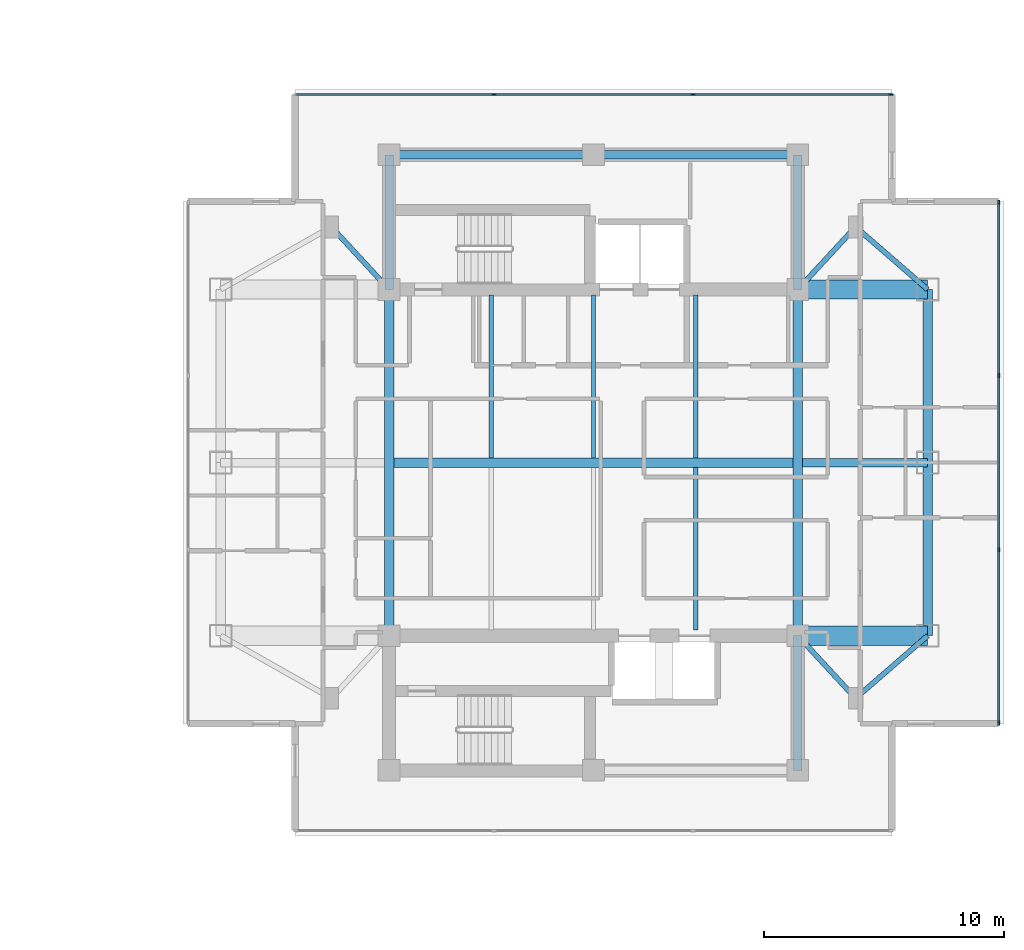
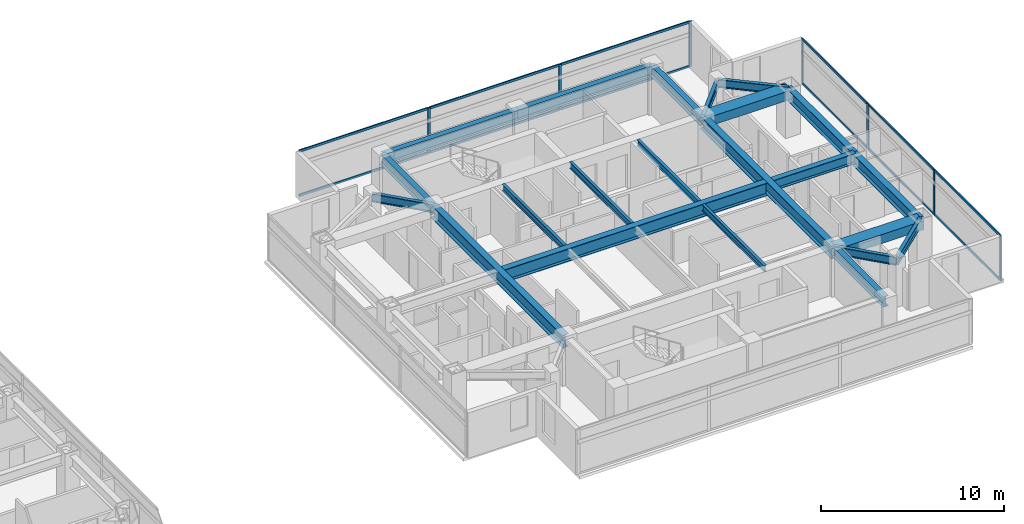
# One storey, part 10 of 24: 22 beams, 19 members, 2 elements without a shape of their own.
"""IFC4 building model written with IfcOpenShell, lengths in metres."""

from ifc_helpers import new_model, si_unit, direction, frame, origin, origin_2d, place, context, subcontext, project, spatial, rectangle, i_section, extrude, material, material_profile, profile_set, type_object, element, aggregate, save


model = new_model("IFC4")

# Units and contexts
model_context = context("Model", 3, precision=1e-05, world=origin(), true_north=direction((0.0, 1.0)))
body_context = subcontext(model_context, "Body", "Model", "MODEL_VIEW")
ifc_project = project(units=[si_unit("LENGTHUNIT", "METRE"), si_unit("AREAUNIT", "SQUARE_METRE"), si_unit("VOLUMEUNIT", "CUBIC_METRE"), si_unit("PLANEANGLEUNIT", "RADIAN"), si_unit("MASSUNIT", "GRAM", prefix="KILO")], contexts=[model_context])

# Site, building, storey
site_placement = place(None, origin())
site = spatial("IfcSite", under=ifc_project, at=site_placement, CompositionType="ELEMENT")
building_placement = place(site_placement, origin())
building = spatial("IfcBuilding", under=site, at=building_placement, Name="Mirazonda Arch Towers", CompositionType="ELEMENT")
storey_placement = place(building_placement, frame((0.0, 0.0, 190.14990234375)))
storey = spatial("IfcBuildingStorey", under=building, at=storey_placement, Name="L54", CompositionType="ELEMENT", Elevation=190.14990234375)

# Beams
ifc_material_1 = material(Name="Steel ASTM A992 Grade 50", Category="steel")
ifc_material_profile_1 = material_profile(ifc_material_1, i_section(OverallWidth=0.381103515625, OverallDepth=0.77294921875, WebThickness=0.0166015625, FlangeThickness=0.027099609375, at=origin_2d()), Name="W30X173")
ifc_profile_set_1 = profile_set([ifc_material_profile_1], Name="Steel ASTM A992 Grade 50")
beam_type_1 = type_object("IfcBeamType", Name="BM-EXT-W30X173", PredefinedType="USERDEFINED", material=ifc_profile_set_1)
for number, where, z_axis, x_axis, name in (
    (1, (90.39990234375, 20.800048828125, 2.66357421875), (0.0, 1.0, 0.0), (-1.0, 0.0, 0.0), "L54 Floor Beam BM-T2-L54-NS-E-20"),
    (2, (90.39990234375, 28.0, 2.66357421875), (0.0, 1.0, 0.0), (-1.0, 0.0, 0.0), "L54 Floor Beam BM-T2-L54-NS-E-28"),
):
    element("IfcBeam", number, at=place(storey_placement, frame(where, z_axis=z_axis, x_axis=x_axis)), inside=storey, type_object=beam_type_1, Name=name, ObjectType="GIRDER", PredefinedType="USERDEFINED", context=body_context, shape_type="SweptSolid", body=[
        extrude(i_section(OverallWidth=0.381103515625, OverallDepth=0.77294921875, WebThickness=0.0166015625, FlangeThickness=0.027099609375, at=origin_2d()), origin(), (0.0, 0.0, 1.0), 7.199951171875),
    ])
ifc_material_profile_2 = material_profile(ifc_material_1, i_section(OverallWidth=0.180908203125, OverallDepth=0.4169921875, WebThickness=0.010986328125, FlangeThickness=0.018310546875, at=origin_2d()), Name="W16X57")
ifc_profile_set_2 = profile_set([ifc_material_profile_2], Name="Steel ASTM A992 Grade 50")
beam_type_2 = type_object("IfcBeamType", Name="BM-INT-W16X57", PredefinedType="JOIST", material=ifc_profile_set_2)
for number, where, z_axis, x_axis, name in (
    (3, (72.25, 28.196044921875, 2.841552734375), (0.0, 1.0, 0.0), (-1.0, 0.0, 0.0), "L54 Floor Beam BM-T2-L54-J-722-28"),
    (4, (76.5, 28.196044921875, 2.841552734375), (0.0, 1.0, 0.0), (-1.0, 0.0, 0.0), "L54 Floor Beam BM-T2-L54-J-765-28"),
    (5, (80.75, 21.0400390625, 2.841552734375), (0.0, 1.0, 0.0), (-1.0, 0.0, 0.0), "L54 Floor Beam BM-T2-L54-J-807-20"),
    (6, (80.75, 28.196044921875, 2.841552734375), (0.0, 1.0, 0.0), (-1.0, 0.0, 0.0), "L54 Floor Beam BM-T2-L54-J-807-28"),
):
    element("IfcBeam", number, at=place(storey_placement, frame(where, z_axis=z_axis, x_axis=x_axis)), inside=storey, type_object=beam_type_2, Name=name, PredefinedType="JOIST", context=body_context, shape_type="SweptSolid", body=[
        extrude(i_section(OverallWidth=0.180908203125, OverallDepth=0.4169921875, WebThickness=0.010986328125, FlangeThickness=0.018310546875, at=origin_2d()), origin(), (0.0, 0.0, 1.0), 6.763916015625),
    ])
ifc_material_profile_3 = material_profile(ifc_material_1, i_section(OverallWidth=0.214111328125, OverallDepth=0.549072265625, WebThickness=0.0146484375, FlangeThickness=0.023681640625, at=origin_2d()), Name="W21X93")
ifc_profile_set_3 = profile_set([ifc_material_profile_3], Name="Steel ASTM A992 Grade 50")
beam_type_3 = type_object("IfcBeamType", Name="BM-INT-W21X93", PredefinedType="BEAM", material=ifc_profile_set_3)
beam_1_placement = place(storey_placement, frame((87.39990234375, 18.199951171875, 2.775634765625), z_axis=(-0.678251444854, 0.734829897019, 0.0), x_axis=(-0.734829897019, -0.678251444854, 0.0)))
element("IfcBeam", 7, at=beam_1_placement, inside=storey, type_object=beam_type_3, Name="L54 Floor Beam BM-T2-L54-PL-SE1", PredefinedType="BEAM", context=body_context, shape_type="SweptSolid", body=[
    extrude(i_section(OverallWidth=0.214111328125, OverallDepth=0.549072265625, WebThickness=0.0146484375, FlangeThickness=0.023681640625, at=origin_2d()), origin(), (0.0, 0.0, 1.0), 3.538330078125),
])
beam_2_placement = place(storey_placement, frame((87.39990234375, 18.199951171875, 2.775634765625), z_axis=(0.755676908098, 0.654944585876, 0.0), x_axis=(-0.654944585876, 0.755676908098, 0.0)))
element("IfcBeam", 8, at=beam_2_placement, inside=storey, type_object=beam_type_3, Name="L54 Floor Beam BM-T2-L54-PL-SE2", PredefinedType="BEAM", context=body_context, shape_type="SweptSolid", body=[
    extrude(i_section(OverallWidth=0.214111328125, OverallDepth=0.549072265625, WebThickness=0.0146484375, FlangeThickness=0.023681640625, at=origin_2d()), origin(), (0.0, 0.0, 1.0), 3.969970703125),
])
for number, where, z_axis, x_axis, name in (
    (9, (65.60009765625, 37.800048828125, 2.775634765625), (0.678251444854, -0.734829897019, 0.0), (0.734829897019, 0.678251444854, 0.0), "L54 Floor Beam BM-T2-L54-PL-NW1"),
    (10, (87.39990234375, 37.800048828125, 2.775634765625), (-0.678251444854, -0.734829897019, 0.0), (0.734829897019, -0.678251444854, 0.0), "L54 Floor Beam BM-T2-L54-PL-NE1"),
):
    element("IfcBeam", number, at=place(storey_placement, frame(where, z_axis=z_axis, x_axis=x_axis)), inside=storey, type_object=beam_type_3, Name=name, PredefinedType="BEAM", context=body_context, shape_type="SweptSolid", body=[
        extrude(i_section(OverallWidth=0.214111328125, OverallDepth=0.549072265625, WebThickness=0.0146484375, FlangeThickness=0.023681640625, at=origin_2d()), origin(), (0.0, 0.0, 1.0), 3.538330078125),
    ])
beam_3_placement = place(storey_placement, frame((87.39990234375, 37.800048828125, 2.775634765625), z_axis=(0.755676908098, -0.654944585876, 0.0), x_axis=(0.654944585876, 0.755676908098, 0.0)))
element("IfcBeam", 11, at=beam_3_placement, inside=storey, type_object=beam_type_3, Name="L54 Floor Beam BM-T2-L54-PL-NE2", PredefinedType="BEAM", context=body_context, shape_type="SweptSolid", body=[
    extrude(i_section(OverallWidth=0.214111328125, OverallDepth=0.549072265625, WebThickness=0.0146484375, FlangeThickness=0.023681640625, at=origin_2d()), origin(), (0.0, 0.0, 1.0), 3.969970703125),
])
ifc_material_profile_4 = material_profile(ifc_material_1, i_section(OverallWidth=0.35498046875, OverallDepth=0.696044921875, WebThickness=0.015380859375, FlangeThickness=0.02490234375, at=origin_2d()), Name="W27X146")
ifc_profile_set_4 = profile_set([ifc_material_profile_4], Name="Steel ASTM A992 Grade 50")
beam_type_4 = type_object("IfcBeamType", Name="BM-INT-W27X146", PredefinedType="BEAM", material=ifc_profile_set_4)
for number, where, z_axis, x_axis, name in (
    (12, (68.0, 40.800048828125, 2.7021484375), (1.0, 0.0, 0.0), (0.0, 1.0, 0.0), "L54 Floor Beam BM-T2-L54-CN1"),
    (13, (76.5, 40.800048828125, 2.7021484375), (1.0, 0.0, 0.0), (0.0, 1.0, 0.0), "L54 Floor Beam BM-T2-L54-CN2"),
):
    element("IfcBeam", number, at=place(storey_placement, frame(where, z_axis=z_axis, x_axis=x_axis)), inside=storey, type_object=beam_type_4, Name=name, PredefinedType="BEAM", context=body_context, shape_type="SweptSolid", body=[
        extrude(i_section(OverallWidth=0.35498046875, OverallDepth=0.696044921875, WebThickness=0.015380859375, FlangeThickness=0.02490234375, at=origin_2d()), origin(), (0.0, 0.0, 1.0), 8.5),
    ])
for number, where, z_axis, x_axis, name in (
    (14, (85.0, 15.199951171875, 2.7021484375), (0.0, 1.0, 0.0), (-1.0, 0.0, 0.0), "L54 Floor Beam BM-T2-L54-CSE"),
    (15, (68.0, 35.199951171875, 2.7021484375), (0.0, 1.0, 0.0), (-1.0, 0.0, 0.0), "L54 Floor Beam BM-T2-L54-CNW"),
    (16, (85.0, 35.199951171875, 2.7021484375), (0.0, 1.0, 0.0), (-1.0, 0.0, 0.0), "L54 Floor Beam BM-T2-L54-CNE"),
):
    element("IfcBeam", number, at=place(storey_placement, frame(where, z_axis=z_axis, x_axis=x_axis)), inside=storey, type_object=beam_type_4, Name=name, PredefinedType="BEAM", context=body_context, shape_type="SweptSolid", body=[
        extrude(i_section(OverallWidth=0.35498046875, OverallDepth=0.696044921875, WebThickness=0.015380859375, FlangeThickness=0.02490234375, at=origin_2d()), origin(), (0.0, 0.0, 1.0), 5.60009765625),
    ])
beam_4_placement = place(storey_placement, frame((85.199951171875, 28.0, 2.7021484375), z_axis=(1.0, 0.0, 0.0), x_axis=(0.0, 1.0, 0.0)))
element("IfcBeam", 17, at=beam_4_placement, inside=storey, type_object=beam_type_4, Name="L54 Floor Beam BM-T2-L54-GE2", PredefinedType="BEAM", context=body_context, shape_type="SweptSolid", body=[
    extrude(i_section(OverallWidth=0.35498046875, OverallDepth=0.696044921875, WebThickness=0.015380859375, FlangeThickness=0.02490234375, at=origin_2d()), origin(), (0.0, 0.0, 1.0), 5.199951171875),
])
ifc_material_profile_5 = material_profile(ifc_material_1, i_section(OverallWidth=0.39990234375, OverallDepth=0.85595703125, WebThickness=0.018310546875, FlangeThickness=0.029296875, at=origin_2d()), Name="W33X201")
ifc_profile_set_5 = profile_set([ifc_material_profile_5], Name="Steel ASTM A992 Grade 50")
beam_type_5 = type_object("IfcBeamType", Name="BM-INT-W33X201", PredefinedType="USERDEFINED", material=ifc_profile_set_5)
beam_5_placement = place(storey_placement, frame((68.199951171875, 28.0, 2.6220703125), z_axis=(1.0, 0.0, 0.0), x_axis=(0.0, 1.0, 0.0)))
element("IfcBeam", 18, at=beam_5_placement, inside=storey, type_object=beam_type_5, Name="L54 Floor Beam BM-T2-L54-GC2", ObjectType="GIRDER", PredefinedType="USERDEFINED", context=body_context, shape_type="SweptSolid", body=[
    extrude(i_section(OverallWidth=0.39990234375, OverallDepth=0.85595703125, WebThickness=0.018310546875, FlangeThickness=0.029296875, at=origin_2d()), origin(), (0.0, 0.0, 1.0), 16.60009765625),
])
for number, where, z_axis, x_axis, name in (
    (19, (68.0, 20.800048828125, 2.6220703125), (0.0, 1.0, 0.0), (-1.0, 0.0, 0.0), "L54 Floor Beam BM-T2-L54-NS-CW-FULL"),
    (20, (85.0, 20.800048828125, 2.6220703125), (0.0, 1.0, 0.0), (-1.0, 0.0, 0.0), "L54 Floor Beam BM-T2-L54-NS-CE-FULL"),
):
    element("IfcBeam", number, at=place(storey_placement, frame(where, z_axis=z_axis, x_axis=x_axis)), inside=storey, type_object=beam_type_5, Name=name, ObjectType="GIRDER", PredefinedType="USERDEFINED", context=body_context, shape_type="SweptSolid", body=[
        extrude(i_section(OverallWidth=0.39990234375, OverallDepth=0.85595703125, WebThickness=0.018310546875, FlangeThickness=0.029296875, at=origin_2d()), origin(), (0.0, 0.0, 1.0), 14.39990234375),
    ])
ifc_material_2 = material(Name="Concrete C60/75", Category="concrete")
ifc_material_profile_6 = material_profile(ifc_material_2, rectangle(XDim=0.800048828125, YDim=0.60009765625, at=origin_2d()), Name="RCCB800x600")
ifc_profile_set_6 = profile_set([ifc_material_profile_6], Name="Concrete C60/75")
beam_type_6 = type_object("IfcBeamType", Name="CB-INT-RCCB800x600", PredefinedType="SPANDREL", material=ifc_profile_set_6)
for number, where, z_axis, x_axis, name in (
    (21, (85.0, 35.199951171875, 2.75), (1.0, 0.0, 0.0), (0.0, 1.0, 0.0), "L54 Floor Beam CBC-T2-L54-NE"),
    (22, (85.0, 20.800048828125, 2.75), (1.0, 0.0, 0.0), (0.0, 1.0, 0.0), "L54 Floor Beam CBC-T2-L54-SE"),
):
    element("IfcBeam", number, at=place(storey_placement, frame(where, z_axis=z_axis, x_axis=x_axis)), inside=storey, type_object=beam_type_6, Name=name, PredefinedType="SPANDREL", context=body_context, shape_type="SweptSolid", body=[
        extrude(rectangle(XDim=0.800048828125, YDim=0.60009765625, at=origin_2d()), origin(), (0.0, 0.0, 1.0), 5.39990234375),
    ])

# Curtain wall, members
ifc_material_3 = material(Name="Anodised Aluminium and Low-E Glass", Category="aluminium")
curtain_wall_type = type_object("IfcCurtainWallType", Name="CW-RES-UNIT", PredefinedType="NOTDEFINED", material=ifc_material_3)
curtain_wall_1_placement = place(storey_placement, origin())
curtain_wall_1 = element("IfcCurtainWall", 23, at=curtain_wall_1_placement, inside=storey, type_object=curtain_wall_type, Name="L54 T2 E Facade CW-L54-T2-E", PredefinedType="NOTDEFINED")
ifc_material_4 = material(Name="Anodised Aluminium Alloy", Category="aluminium")
ifc_material_profile_7 = material_profile(ifc_material_4, rectangle(XDim=0.074951171875, YDim=0.175048828125, at=origin_2d()), Name="ALU-MULL-75x175")
ifc_profile_set_7 = profile_set([ifc_material_profile_7], Name="Anodised Aluminium Alloy")
member_type_1 = type_object("IfcMemberType", Name="MULL-CW-RES-UNIT", PredefinedType="MULLION", material=ifc_profile_set_7)
member_1_placement = place(storey_placement, frame((93.353515625, 17.172119140625, 0.0), z_axis=(0.0, 0.0, 1.0), x_axis=(-1.0, 0.0, 0.0)))
member_1 = element("IfcMember", 24, at=member_1_placement, type_object=member_type_1, Name="CW-104 mullion 1", PredefinedType="MULLION", context=body_context, shape_type="SweptSolid", body=[
    extrude(rectangle(XDim=0.074951171875, YDim=0.175048828125, at=origin_2d()), origin(), (0.0, 0.0, 1.0), 3.030029296875),
])
member_2_placement = place(storey_placement, frame((93.353515625, 24.378173828125, 0.0), z_axis=(0.0, 0.0, 1.0), x_axis=(-1.0, 0.0, 0.0)))
member_2 = element("IfcMember", 25, at=member_2_placement, type_object=member_type_1, Name="CW-104 mullion 2", PredefinedType="MULLION", context=body_context, shape_type="SweptSolid", body=[
    extrude(rectangle(XDim=0.074951171875, YDim=0.175048828125, at=origin_2d()), origin(), (0.0, 0.0, 1.0), 3.030029296875),
])
member_3_placement = place(storey_placement, frame((93.353515625, 31.621826171875, 0.0), z_axis=(0.0, 0.0, 1.0), x_axis=(-1.0, 0.0, 0.0)))
member_3 = element("IfcMember", 26, at=member_3_placement, type_object=member_type_1, Name="CW-104 mullion 3", PredefinedType="MULLION", context=body_context, shape_type="SweptSolid", body=[
    extrude(rectangle(XDim=0.074951171875, YDim=0.175048828125, at=origin_2d()), origin(), (0.0, 0.0, 1.0), 3.030029296875),
])
member_4_placement = place(storey_placement, frame((93.353515625, 38.827880859375, 0.0), z_axis=(0.0, 0.0, 1.0), x_axis=(-1.0, 0.0, 0.0)))
member_4 = element("IfcMember", 27, at=member_4_placement, type_object=member_type_1, Name="CW-104 mullion 4", PredefinedType="MULLION", context=body_context, shape_type="SweptSolid", body=[
    extrude(rectangle(XDim=0.074951171875, YDim=0.175048828125, at=origin_2d()), origin(), (0.0, 0.0, 1.0), 3.030029296875),
])

curtain_wall_2_placement = place(storey_placement, origin())
curtain_wall_2 = element("IfcCurtainWall", 28, at=curtain_wall_2_placement, inside=storey, type_object=curtain_wall_type, Name="L54 T2 N Facade CW-L54-T2-N", PredefinedType="NOTDEFINED")
member_5_placement = place(storey_placement, frame((72.362060546875, 43.30517578125, 0.0), z_axis=(0.0, 0.0, 1.0), x_axis=(0.0, 1.0, 0.0)))
member_5 = element("IfcMember", 29, at=member_5_placement, type_object=member_type_1, Name="CW-104 mullion 2", PredefinedType="MULLION", context=body_context, shape_type="SweptSolid", body=[
    extrude(rectangle(XDim=0.074951171875, YDim=0.175048828125, at=origin_2d()), origin(), (0.0, 0.0, 1.0), 3.030029296875),
])
member_6_placement = place(storey_placement, frame((80.637939453125, 43.30517578125, 0.0), z_axis=(0.0, 0.0, 1.0), x_axis=(0.0, 1.0, 0.0)))
member_6 = element("IfcMember", 30, at=member_6_placement, type_object=member_type_1, Name="CW-104 mullion 3", PredefinedType="MULLION", context=body_context, shape_type="SweptSolid", body=[
    extrude(rectangle(XDim=0.074951171875, YDim=0.175048828125, at=origin_2d()), origin(), (0.0, 0.0, 1.0), 3.030029296875),
])
member_7_placement = place(storey_placement, frame((88.876220703125, 43.30517578125, 0.0), z_axis=(0.0, 0.0, 1.0), x_axis=(0.0, 1.0, 0.0)))
member_7 = element("IfcMember", 31, at=member_7_placement, type_object=member_type_1, Name="CW-104 mullion 4", PredefinedType="MULLION", context=body_context, shape_type="SweptSolid", body=[
    extrude(rectangle(XDim=0.074951171875, YDim=0.175048828125, at=origin_2d()), origin(), (0.0, 0.0, 1.0), 3.030029296875),
])

# Member
ifc_material_profile_8 = material_profile(ifc_material_4, rectangle(XDim=0.074951171875, YDim=0.155029296875, at=origin_2d()), Name="ALU-TRAN-75x155")
ifc_profile_set_8 = profile_set([ifc_material_profile_8], Name="Anodised Aluminium Alloy")
member_type_2 = type_object("IfcMemberType", Name="TRAN-CW-RES-UNIT", PredefinedType="USERDEFINED", material=ifc_profile_set_8)
member_8_placement = place(storey_placement, frame((93.353515625, 17.209716796875, 0.03759765625), z_axis=(0.0, 1.0, 0.0), x_axis=(-1.0, 0.0, 0.0)))
member_8 = element("IfcMember", 32, at=member_8_placement, type_object=member_type_2, Name="CW-104 transom 1.1", ObjectType="TRANSOM", PredefinedType="USERDEFINED", context=body_context, shape_type="SweptSolid", body=[
    extrude(rectangle(XDim=0.074951171875, YDim=0.155029296875, at=origin_2d()), origin(), (0.0, 0.0, 1.0), 7.131103515625),
])

member_9_placement = place(storey_placement, frame((93.353515625, 17.209716796875, 2.99267578125), z_axis=(0.0, 1.0, 0.0), x_axis=(-1.0, 0.0, 0.0)))
member_9 = element("IfcMember", 33, at=member_9_placement, type_object=member_type_2, Name="CW-104 transom 1.2", ObjectType="TRANSOM", PredefinedType="USERDEFINED", context=body_context, shape_type="SweptSolid", body=[
    extrude(rectangle(XDim=0.074951171875, YDim=0.155029296875, at=origin_2d()), origin(), (0.0, 0.0, 1.0), 7.131103515625),
])

member_10_placement = place(storey_placement, frame((93.353515625, 24.415771484375, 0.03759765625), z_axis=(0.0, 1.0, 0.0), x_axis=(-1.0, 0.0, 0.0)))
member_10 = element("IfcMember", 34, at=member_10_placement, type_object=member_type_2, Name="CW-104 transom 2.1", ObjectType="TRANSOM", PredefinedType="USERDEFINED", context=body_context, shape_type="SweptSolid", body=[
    extrude(rectangle(XDim=0.074951171875, YDim=0.155029296875, at=origin_2d()), origin(), (0.0, 0.0, 1.0), 7.16845703125),
])

member_11_placement = place(storey_placement, frame((93.353515625, 24.415771484375, 2.99267578125), z_axis=(0.0, 1.0, 0.0), x_axis=(-1.0, 0.0, 0.0)))
member_11 = element("IfcMember", 35, at=member_11_placement, type_object=member_type_2, Name="CW-104 transom 2.2", ObjectType="TRANSOM", PredefinedType="USERDEFINED", context=body_context, shape_type="SweptSolid", body=[
    extrude(rectangle(XDim=0.074951171875, YDim=0.155029296875, at=origin_2d()), origin(), (0.0, 0.0, 1.0), 7.16845703125),
])

member_12_placement = place(storey_placement, frame((93.353515625, 31.6591796875, 0.03759765625), z_axis=(0.0, 1.0, 0.0), x_axis=(-1.0, 0.0, 0.0)))
member_12 = element("IfcMember", 36, at=member_12_placement, type_object=member_type_2, Name="CW-104 transom 3.1", ObjectType="TRANSOM", PredefinedType="USERDEFINED", context=body_context, shape_type="SweptSolid", body=[
    extrude(rectangle(XDim=0.074951171875, YDim=0.155029296875, at=origin_2d()), origin(), (0.0, 0.0, 1.0), 7.131103515625),
])

member_13_placement = place(storey_placement, frame((93.353515625, 31.6591796875, 2.99267578125), z_axis=(0.0, 1.0, 0.0), x_axis=(-1.0, 0.0, 0.0)))
member_13 = element("IfcMember", 37, at=member_13_placement, type_object=member_type_2, Name="CW-104 transom 3.2", ObjectType="TRANSOM", PredefinedType="USERDEFINED", context=body_context, shape_type="SweptSolid", body=[
    extrude(rectangle(XDim=0.074951171875, YDim=0.155029296875, at=origin_2d()), origin(), (0.0, 0.0, 1.0), 7.131103515625),
])

aggregate(curtain_wall_1, [member_1, member_2, member_3, member_4, member_8, member_9, member_10, member_11, member_12, member_13])

member_14_placement = place(storey_placement, frame((64.1611328125, 43.30517578125, 0.03759765625), z_axis=(1.0, 0.0, 0.0), x_axis=(0.0, 1.0, 0.0)))
member_14 = element("IfcMember", 38, at=member_14_placement, type_object=member_type_2, Name="CW-104 transom 1.1", ObjectType="TRANSOM", PredefinedType="USERDEFINED", context=body_context, shape_type="SweptSolid", body=[
    extrude(rectangle(XDim=0.074951171875, YDim=0.155029296875, at=origin_2d()), origin(), (0.0, 0.0, 1.0), 8.163330078125),
])

member_15_placement = place(storey_placement, frame((64.1611328125, 43.30517578125, 2.99267578125), z_axis=(1.0, 0.0, 0.0), x_axis=(0.0, 1.0, 0.0)))
member_15 = element("IfcMember", 39, at=member_15_placement, type_object=member_type_2, Name="CW-104 transom 1.2", ObjectType="TRANSOM", PredefinedType="USERDEFINED", context=body_context, shape_type="SweptSolid", body=[
    extrude(rectangle(XDim=0.074951171875, YDim=0.155029296875, at=origin_2d()), origin(), (0.0, 0.0, 1.0), 8.163330078125),
])

member_16_placement = place(storey_placement, frame((72.399658203125, 43.30517578125, 0.03759765625), z_axis=(1.0, 0.0, 0.0), x_axis=(0.0, 1.0, 0.0)))
member_16 = element("IfcMember", 40, at=member_16_placement, type_object=member_type_2, Name="CW-104 transom 2.1", ObjectType="TRANSOM", PredefinedType="USERDEFINED", context=body_context, shape_type="SweptSolid", body=[
    extrude(rectangle(XDim=0.074951171875, YDim=0.155029296875, at=origin_2d()), origin(), (0.0, 0.0, 1.0), 8.20068359375),
])

member_17_placement = place(storey_placement, frame((72.399658203125, 43.30517578125, 2.99267578125), z_axis=(1.0, 0.0, 0.0), x_axis=(0.0, 1.0, 0.0)))
member_17 = element("IfcMember", 41, at=member_17_placement, type_object=member_type_2, Name="CW-104 transom 2.2", ObjectType="TRANSOM", PredefinedType="USERDEFINED", context=body_context, shape_type="SweptSolid", body=[
    extrude(rectangle(XDim=0.074951171875, YDim=0.155029296875, at=origin_2d()), origin(), (0.0, 0.0, 1.0), 8.20068359375),
])

member_18_placement = place(storey_placement, frame((80.675537109375, 43.30517578125, 0.03759765625), z_axis=(1.0, 0.0, 0.0), x_axis=(0.0, 1.0, 0.0)))
member_18 = element("IfcMember", 42, at=member_18_placement, type_object=member_type_2, Name="CW-104 transom 3.1", ObjectType="TRANSOM", PredefinedType="USERDEFINED", context=body_context, shape_type="SweptSolid", body=[
    extrude(rectangle(XDim=0.074951171875, YDim=0.155029296875, at=origin_2d()), origin(), (0.0, 0.0, 1.0), 8.163330078125),
])

member_19_placement = place(storey_placement, frame((80.675537109375, 43.30517578125, 2.99267578125), z_axis=(1.0, 0.0, 0.0), x_axis=(0.0, 1.0, 0.0)))
member_19 = element("IfcMember", 43, at=member_19_placement, type_object=member_type_2, Name="CW-104 transom 3.2", ObjectType="TRANSOM", PredefinedType="USERDEFINED", context=body_context, shape_type="SweptSolid", body=[
    extrude(rectangle(XDim=0.074951171875, YDim=0.155029296875, at=origin_2d()), origin(), (0.0, 0.0, 1.0), 8.163330078125),
])

aggregate(curtain_wall_2, [member_5, member_6, member_7, member_14, member_15, member_16, member_17, member_18, member_19])

save(model, "model.ifc")
